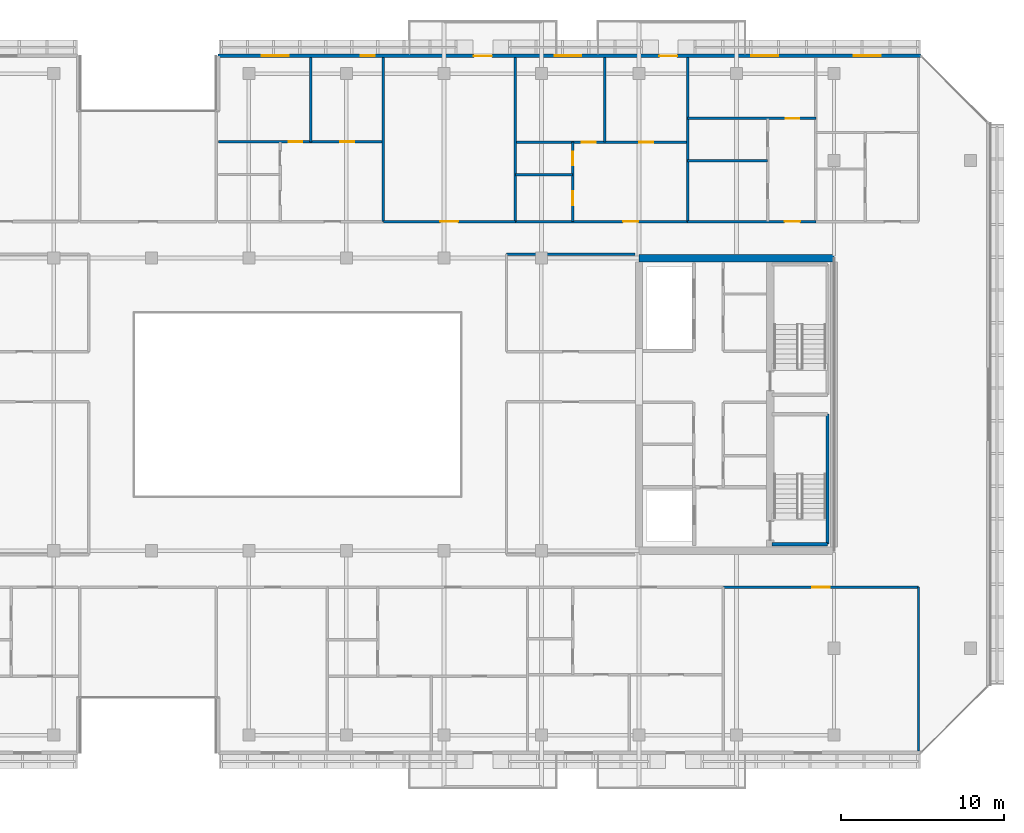
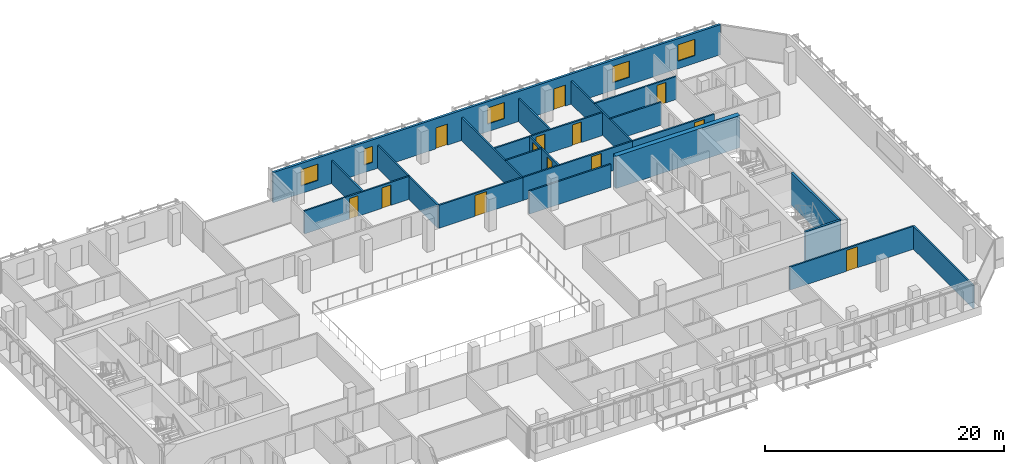
# One storey, part 18 of 25: 21 walls, 13 doors, 5 windows, 18 openings.
"""IFC4 building model written with IfcOpenShell, lengths in metres."""

import ifcopenshell
import ifcopenshell.guid

model = None  # the IFC model being written
_history = None  # IfcOwnerHistory: only IFC2X3 demands one
_inside = {}  # id of a spatial element -> (the spatial element, [elements in it])
_under = {}  # id of a project, library or spatial element -> (it, [spatial elements below it])
_declared = {}  # id of a project -> (the project, [libraries it declares])
_typed = {}  # id of a type object -> (the type object, [elements of that type])
_made_of = {}  # id of a material, layer set ... -> (it, [elements and type objects made of it])


def new_model(schema):
    """Start an empty IFC model of exactly this schema.

    Asked for "IFC4X3", IfcOpenShell would pick the latest addendum, in which some entities
    have other attributes; the version numbers below select the first issue.
    IFC2X3 requires an IfcOwnerHistory on every rooted entity: one is made here for all.
    """
    global model, _history
    if schema == "IFC4X3":
        model = ifcopenshell.file(schema_version=(4, 3, 0, 0))
    else:
        model = ifcopenshell.file(schema=schema)
    _inside.clear()
    _under.clear()
    _declared.clear()
    _typed.clear()
    _made_of.clear()
    _history = None
    if model.schema == "IFC2X3":
        org = make("IfcOrganization", Name="unknown")
        user = make(
            "IfcPersonAndOrganization",
            ThePerson=make("IfcPerson", FamilyName="unknown"),
            TheOrganization=org,
        )
        app = make(
            "IfcApplication",
            ApplicationDeveloper=org,
            Version="unknown",
            ApplicationFullName="unknown",
            ApplicationIdentifier="unknown",
        )
        _history = make(
            "IfcOwnerHistory",
            OwningUser=user,
            OwningApplication=app,
            ChangeAction="ADDED",
            CreationDate=0,
        )
    return model


def make(cls, **values):
    """One entity of the class cls with the attributes given. An attribute that is None is left unset."""
    return model.create_entity(
        cls, **{name: value for name, value in values.items() if value is not None}
    )


def rooted(cls, **values):
    """An entity with a GlobalId (a new one), such as an element, a storey or a relation."""
    return make(cls, GlobalId=ifcopenshell.guid.new(), OwnerHistory=_history, **values)


def si_unit(unit_type, name, prefix=None):
    """IfcSIUnit, for example si_unit("LENGTHUNIT", "METRE", prefix="MILLI")."""
    return make("IfcSIUnit", UnitType=unit_type, Prefix=prefix, Name=name)


def assignment(units):
    """IfcUnitAssignment: the units of a project."""
    return None if units is None else make("IfcUnitAssignment", Units=units)


def point(xyz):
    """IfcCartesianPoint."""
    return None if xyz is None else make("IfcCartesianPoint", Coordinates=xyz)


def direction(xyz):
    """IfcDirection."""
    return None if xyz is None else make("IfcDirection", DirectionRatios=xyz)


def frame(location, z_axis=None, x_axis=None):
    """IfcAxis2Placement3D, a coordinate frame: its origin and axes. An axis left out is left unset."""
    return make(
        "IfcAxis2Placement3D",
        Location=point(location),
        Axis=direction(z_axis),
        RefDirection=direction(x_axis),
    )


def frame_2d(location, x_axis=None):
    """IfcAxis2Placement2D, a coordinate frame in the plane: its origin and x axis."""
    return make(
        "IfcAxis2Placement2D", Location=point(location), RefDirection=direction(x_axis)
    )


def origin():
    """The frame at (0, 0, 0) with its axes left unset."""
    return frame((0.0, 0.0, 0.0))


def place(relative_to, where):
    """IfcLocalPlacement: puts the frame where relative to a parent placement (None: the world)."""
    return make(
        "IfcLocalPlacement", PlacementRelTo=relative_to, RelativePlacement=where
    )


def context(
    kind, dimensions, precision=None, world=None, true_north=None, identifier=None
):
    """IfcGeometricRepresentationContext, for example the 3D "Model" context."""
    return make(
        "IfcGeometricRepresentationContext",
        ContextIdentifier=identifier,
        ContextType=kind,
        CoordinateSpaceDimension=dimensions,
        Precision=precision,
        WorldCoordinateSystem=world,
        TrueNorth=true_north,
    )


def subcontext(parent, identifier, kind, view, scale=None):
    """IfcGeometricRepresentationSubContext, for example "Body" below "Model"."""
    return make(
        "IfcGeometricRepresentationSubContext",
        ContextIdentifier=identifier,
        ContextType=kind,
        ParentContext=parent,
        TargetScale=scale,
        TargetView=view,
    )


def project(units=None, contexts=None):
    """IfcProject with its units and contexts."""
    return rooted(
        "IfcProject",
        Name="project",
        RepresentationContexts=contexts,
        UnitsInContext=assignment(units),
    )


def spatial(cls, under=None, at=None, **own):
    """A site, building, storey or space (cls), placed at a placement, below another one or the project."""
    s = rooted(cls, ObjectPlacement=at, **own)
    if under is not None:
        _under.setdefault(under.id(), (under, []))[1].append(s)
    return s


def profile(cls, at=None, kind="AREA", **sizes):
    """A parametric profile (cls). Its sizes go by their IFC names, for example OverallWidth=200.0."""
    return make(cls, ProfileType=kind, Position=at, **sizes)


def rectangle(**sizes):
    """IfcRectangleProfileDef."""
    return profile("IfcRectangleProfileDef", **sizes)


def extrude(swept, where, along, depth):
    """IfcExtrudedAreaSolid: the profile swept, set in the frame where, extruded along a direction by depth."""
    return make(
        "IfcExtrudedAreaSolid",
        SweptArea=swept,
        Position=where,
        ExtrudedDirection=direction(along),
        Depth=depth,
    )


def shape(context_of_items, identifier, shape_type, items):
    """IfcShapeRepresentation: the items that make up one representation, for example the "Body"."""
    return make(
        "IfcShapeRepresentation",
        ContextOfItems=context_of_items,
        RepresentationIdentifier=identifier,
        RepresentationType=shape_type,
        Items=items,
    )


def material(Name=None, Category=None):
    """IfcMaterial."""
    return make("IfcMaterial", Name=Name, Category=Category)


def layer(
    of_material, thickness, ventilated=None, Name=None, Category=None, Priority=None
):
    """IfcMaterialLayer: one layer of a wall or slab, of a material (None: an air gap)."""
    return make(
        "IfcMaterialLayer",
        Material=of_material,
        LayerThickness=thickness,
        IsVentilated=ventilated,
        Name=Name,
        Category=Category,
        Priority=Priority,
    )


def layer_set(layers, Name=None):
    """IfcMaterialLayerSet."""
    return make("IfcMaterialLayerSet", MaterialLayers=layers, LayerSetName=Name)


def made_of(thing, what):
    """Note that an element or type object is made of a material, layer set ...; save() writes the relation."""
    if what is not None:
        _made_of.setdefault(what.id(), (what, []))[1].append(thing)
    return thing


def type_object(cls, material=None, **own):
    """A type object (cls), such as IfcWallType, which elements share."""
    return made_of(rooted(cls, **own), material)


def element(
    cls,
    number,
    at=None,
    inside=None,
    cuts=None,
    type_object=None,
    material=None,
    context=None,
    identifier="Body",
    shape_type=None,
    held_by="IfcProductDefinitionShape",
    body=None,
    shapes=None,
    **own,
):
    """One element of the class cls, such as IfcWall. Its Tag is "e" and its number.

    at: its placement. inside: the storey or other place that contains it. cuts: it is an
    opening in that element (IfcRelVoidsElement). A single representation is given by context,
    identifier, shape_type and body (its items); several are given by shapes. held_by: the class
    of the entity that holds the representations. save() writes the other relations.
    """
    e = rooted(cls, Tag="e%d" % number, ObjectPlacement=at, **own)
    if body is not None:
        shapes = [shape(context, identifier, shape_type, body)]
    if shapes is not None:
        e.Representation = make(held_by, Representations=shapes)
    if inside is not None:
        _inside.setdefault(inside.id(), (inside, []))[1].append(e)
    if cuts is not None:
        rooted(
            "IfcRelVoidsElement", RelatingBuildingElement=cuts, RelatedOpeningElement=e
        )
    if type_object is not None:
        _typed.setdefault(type_object.id(), (type_object, []))[1].append(e)
    return made_of(e, material)


def fill(opening, filler):
    """IfcRelFillsElement: the door or window that sits in an opening."""
    return rooted(
        "IfcRelFillsElement",
        RelatingOpeningElement=opening,
        RelatedBuildingElement=filler,
    )


def aggregate(whole, parts):
    """IfcRelAggregates: a whole, such as a stair, and the parts it consists of."""
    return rooted("IfcRelAggregates", RelatingObject=whole, RelatedObjects=parts)


def save(model, path):
    """Write the relations noted so far, then the file.

    IfcRelAggregates (storeys below a building ...), IfcRelContainedInSpatialStructure (elements
    in a storey), IfcRelDefinesByType, IfcRelAssociatesMaterial and IfcRelDeclares: one each for
    every whole, place, type object, material and project.
    """
    for whole, parts in _under.values():
        aggregate(whole, parts)
    for where, things in _inside.values():
        rooted(
            "IfcRelContainedInSpatialStructure",
            RelatedElements=things,
            RelatingStructure=where,
        )
    for kind, things in _typed.values():
        rooted("IfcRelDefinesByType", RelatedObjects=things, RelatingType=kind)
    for what, things in _made_of.values():
        rooted("IfcRelAssociatesMaterial", RelatedObjects=things, RelatingMaterial=what)
    for by, libraries in _declared.values():
        rooted("IfcRelDeclares", RelatingContext=by, RelatedDefinitions=libraries)
    model.write(path)


model = new_model("IFC4")

# Units and contexts
model_context = context("Model", 3, precision=1e-05, world=origin(), true_north=direction((0.0, 1.0)))
body_context = subcontext(model_context, "Body", "Model", "MODEL_VIEW")
ifc_project = project(units=[si_unit("LENGTHUNIT", "METRE"), si_unit("AREAUNIT", "SQUARE_METRE"), si_unit("VOLUMEUNIT", "CUBIC_METRE"), si_unit("PLANEANGLEUNIT", "RADIAN"), si_unit("MASSUNIT", "GRAM", prefix="KILO")], contexts=[model_context])

# Site, building, storey
site_placement = place(None, origin())
site = spatial("IfcSite", under=ifc_project, at=site_placement, CompositionType="ELEMENT")
building_placement = place(site_placement, origin())
building = spatial("IfcBuilding", under=site, at=building_placement, Name="Tanjung Sevakor Pilgrim Tower", CompositionType="ELEMENT")
storey_placement = place(building_placement, frame((0.0, 0.0, 204.929931640625)))
storey = spatial("IfcBuildingStorey", under=building, at=storey_placement, Name="L57", CompositionType="ELEMENT", Elevation=204.929931640625)

# Walls
ifc_material_1 = material(Name="Concrete C60/75", Category="concrete")
ifc_layer_1 = layer(ifc_material_1, 0.449951171875)
ifc_layer_set_1 = layer_set([ifc_layer_1], Name="WALL-CW-450")
wall_type_1 = type_object("IfcWallType", Name="WALL-CW-450", PredefinedType="SHEAR", material=ifc_layer_set_1)
wall_1_placement = place(storey_placement, frame((90.0, 42.60009765625, 0.0), z_axis=(0.0, 0.0, 1.0), x_axis=(-1.0, 0.0, 0.0)))
element("IfcWall", 1, at=wall_1_placement, inside=storey, type_object=wall_type_1, Name="L57 E Core North Shear Wall", PredefinedType="SHEAR", context=body_context, shape_type="SweptSolid", body=[
    extrude(rectangle(XDim=12.0, YDim=0.449951171875, at=frame_2d((6.0, 0.0))), origin(), (0.0, 0.0, 1.0), 3.300048828125),
])
ifc_material_2 = material(Name="Concrete C40/50", Category="concrete")
ifc_layer_2 = layer(ifc_material_2, 0.14990234375)
ifc_layer_set_2 = layer_set([ifc_layer_2], Name="WT-COMP-150")
wall_type_2 = type_object("IfcWallType", Name="WT-COMP-150", PredefinedType="SOLIDWALL", material=ifc_layer_set_2)
wall_2_placement = place(storey_placement, frame((69.85009765625, 42.85009765625, 0.0), z_axis=(0.0, 0.0, 1.0), x_axis=(1.0, 0.0, 0.0)))
element("IfcWall", 2, at=wall_2_placement, inside=storey, type_object=wall_type_2, Name="L57 Partition IW-L57-037", PredefinedType="SOLIDWALL", context=body_context, shape_type="SweptSolid", body=[
    extrude(rectangle(XDim=7.90478515625, YDim=0.14990234375, at=frame_2d((3.952392578125, 0.0))), origin(), (0.0, 0.0, 1.0), 2.35009765625),
])
wall_3_placement = place(storey_placement, frame((95.199951171875, 12.27001953125, 0.0), z_axis=(0.0, 0.0, 1.0), x_axis=(0.0, 1.0, 0.0)))
element("IfcWall", 3, at=wall_3_placement, inside=storey, type_object=wall_type_2, Name="L57 Partition IW-L57-057", PredefinedType="SOLIDWALL", context=body_context, shape_type="SweptSolid", body=[
    extrude(rectangle(XDim=10.080078125, YDim=0.14990234375, at=frame_2d((5.0400390625, 0.0))), origin(), (0.0, 0.0, 1.0), 2.35009765625),
])

# Wall, opening, door
wall_4_placement = place(storey_placement, frame((83.19775390625, 22.35009765625, 0.0), z_axis=(0.0, 0.0, 1.0), x_axis=(1.0, 0.0, 0.0)))
wall_4 = element("IfcWall", 4, at=wall_4_placement, inside=storey, type_object=wall_type_2, Name="L57 Partition IW-L57-072", PredefinedType="SOLIDWALL", context=body_context, shape_type="SweptSolid", body=[
    extrude(rectangle(XDim=12.002197265625, YDim=0.14990234375, at=frame_2d((6.0009765625, 0.0))), origin(), (0.0, 0.0, 1.0), 2.35009765625),
])
opening_1_placement = place(wall_4_placement, frame((5.451171875, 0.0, 0.0)))
opening_1 = element("IfcOpeningElement", 5, at=opening_1_placement, cuts=wall_4, Name="Opening ID-FD0", PredefinedType="OPENING", context=body_context, shape_type="SweptSolid", body=[
    extrude(rectangle(XDim=1.10009765625, YDim=2.14990234375, at=frame_2d((0.550048828125, 1.074951171875))), frame((0.0, 0.0849609375, 0.0), z_axis=(0.0, -1.0, 0.0), x_axis=(1.0, 0.0, 0.0)), (0.0, 0.0, 1.0), 0.169921875),
])
ifc_material_3 = material(Name="Fire-Rated Steel S355J2", Category="steel")
door_type_1 = type_object("IfcDoorType", Name="DT-FIRE-1100", OperationType="NOTDEFINED", PredefinedType="DOOR", material=ifc_material_3)
door_1_placement = place(opening_1_placement, origin())
door_1 = element("IfcDoor", 6, at=door_1_placement, inside=storey, type_object=door_type_1, Name="Communal Lounge Door", OperationType="SINGLE_SWING_RIGHT", OverallHeight=2.14990234375, OverallWidth=1.10009765625, PredefinedType="DOOR", context=body_context, shape_type="SweptSolid", body=[
    extrude(rectangle(XDim=1.10009765625, YDim=2.14990234375, at=frame_2d((0.550048828125, 1.074951171875))), frame((0.0, 0.02490234375, 0.0), z_axis=(0.0, -1.0, 0.0), x_axis=(1.0, 0.0, 0.0)), (0.0, 0.0, 1.0), 0.050048828125),
])
fill(opening_1, door_1)

# Walls
for number, where, z_axis, x_axis, name in (
    (7, (62.269775390625, 44.85009765625, 0.0), (0.0, 0.0, 1.0), (0.0, 1.0, 0.0), "L57 Partition IW-L57-082"),
    (8, (70.389404296875, 44.85009765625, 0.0), (0.0, 0.0, 1.0), (0.0, 1.0, 0.0), "L57 Partition IW-L57-088"),
):
    element("IfcWall", number, at=place(storey_placement, frame(where, z_axis=z_axis, x_axis=x_axis)), inside=storey, type_object=wall_type_2, Name=name, PredefinedType="SOLIDWALL", context=body_context, shape_type="SweptSolid", body=[
        extrude(rectangle(XDim=10.079833984375, YDim=0.14990234375, at=frame_2d((5.0400390625, 0.0))), origin(), (0.0, 0.0, 1.0), 2.35009765625),
    ])

# Wall, opening, door
wall_5_placement = place(storey_placement, frame((62.269775390625, 44.85009765625, 0.0), z_axis=(0.0, 0.0, 1.0), x_axis=(1.0, 0.0, 0.0)))
wall_5 = element("IfcWall", 9, at=wall_5_placement, inside=storey, type_object=wall_type_2, Name="L57 Partition IW-L57-089", PredefinedType="SOLIDWALL", context=body_context, shape_type="SweptSolid", body=[
    extrude(rectangle(XDim=8.11962890625, YDim=0.14990234375, at=frame_2d((4.059814453125, 0.0))), origin(), (0.0, 0.0, 1.0), 2.35009765625),
])
opening_2_placement = place(wall_5_placement, frame((3.510009765625, 0.0, 0.0)))
opening_2 = element("IfcOpeningElement", 10, at=opening_2_placement, cuts=wall_5, Name="Opening ID-FD0", PredefinedType="OPENING", context=body_context, shape_type="SweptSolid", body=[
    extrude(rectangle(XDim=1.10009765625, YDim=2.14990234375, at=frame_2d((0.550048828125, 1.074951171875))), frame((0.0, 0.0849609375, 0.0), z_axis=(0.0, -1.0, 0.0), x_axis=(1.0, 0.0, 0.0)), (0.0, 0.0, 1.0), 0.169921875),
])
door_2_placement = place(opening_2_placement, origin())
door_2 = element("IfcDoor", 11, at=door_2_placement, inside=storey, type_object=door_type_1, Name="Council Room Door", OperationType="SINGLE_SWING_RIGHT", OverallHeight=2.14990234375, OverallWidth=1.10009765625, PredefinedType="DOOR", context=body_context, shape_type="SweptSolid", body=[
    extrude(rectangle(XDim=1.10009765625, YDim=2.14990234375, at=frame_2d((0.550048828125, 1.074951171875))), frame((0.0, 0.02490234375, 0.0), z_axis=(0.0, -1.0, 0.0), x_axis=(1.0, 0.0, 0.0)), (0.0, 0.0, 1.0), 0.050048828125),
])
fill(opening_2, door_2)

# Wall
wall_6_placement = place(storey_placement, frame((80.990234375, 44.85009765625, 0.0), z_axis=(0.0, 0.0, 1.0), x_axis=(0.0, 1.0, 0.0)))
element("IfcWall", 12, at=wall_6_placement, inside=storey, type_object=wall_type_2, Name="L57 Partition IW-L57-090", PredefinedType="SOLIDWALL", context=body_context, shape_type="SweptSolid", body=[
    extrude(rectangle(XDim=10.079833984375, YDim=0.14990234375, at=frame_2d((5.0400390625, 0.0))), origin(), (0.0, 0.0, 1.0), 2.35009765625),
])

# Wall, opening, door
wall_7_placement = place(storey_placement, frame((70.389404296875, 44.85009765625, 0.0), z_axis=(0.0, 0.0, 1.0), x_axis=(1.0, 0.0, 0.0)))
wall_7 = element("IfcWall", 13, at=wall_7_placement, inside=storey, type_object=wall_type_2, Name="L57 Partition IW-L57-095", PredefinedType="SOLIDWALL", context=body_context, shape_type="SweptSolid", body=[
    extrude(rectangle(XDim=10.600830078125, YDim=0.14990234375, at=frame_2d((5.30029296875, 0.0))), origin(), (0.0, 0.0, 1.0), 2.35009765625),
])
opening_3_placement = place(wall_7_placement, frame((6.630615234375, 0.0, 0.0)))
opening_3 = element("IfcOpeningElement", 14, at=opening_3_placement, cuts=wall_7, Name="Opening ID-FD2", PredefinedType="OPENING", context=body_context, shape_type="SweptSolid", body=[
    extrude(rectangle(XDim=0.949951171875, YDim=2.14990234375, at=frame_2d((0.47509765625, 1.074951171875))), frame((0.0, 0.0849609375, 0.0), z_axis=(0.0, -1.0, 0.0), x_axis=(1.0, 0.0, 0.0)), (0.0, 0.0, 1.0), 0.169921875),
])
ifc_material_4 = material(Name="Fire-Rated Timber", Category="wood")
door_type_2 = type_object("IfcDoorType", Name="DT-FIRE-950", OperationType="NOTDEFINED", PredefinedType="DOOR", material=ifc_material_4)
door_3_placement = place(opening_3_placement, origin())
door_3 = element("IfcDoor", 15, at=door_3_placement, inside=storey, type_object=door_type_2, Name="Suite Entrance", OperationType="SINGLE_SWING_LEFT", OverallHeight=2.14990234375, OverallWidth=0.949951171875, PredefinedType="DOOR", context=body_context, shape_type="SweptSolid", body=[
    extrude(rectangle(XDim=0.949951171875, YDim=2.14990234375, at=frame_2d((0.47509765625, 1.074951171875))), frame((0.0, 0.02490234375, 0.0), z_axis=(0.0, -1.0, 0.0), x_axis=(1.0, 0.0, 0.0)), (0.0, 0.0, 1.0), 0.050048828125),
])
fill(opening_3, door_3)

wall_8_placement = place(storey_placement, frame((80.990234375, 44.85009765625, 0.0), z_axis=(0.0, 0.0, 1.0), x_axis=(1.0, 0.0, 0.0)))
wall_8 = element("IfcWall", 16, at=wall_8_placement, inside=storey, type_object=wall_type_2, Name="L57 Partition IW-L57-100", PredefinedType="SOLIDWALL", context=body_context, shape_type="SweptSolid", body=[
    extrude(rectangle(XDim=7.894287109375, YDim=0.14990234375, at=frame_2d((3.947265625, 0.0))), origin(), (0.0, 0.0, 1.0), 2.35009765625),
])
opening_4_placement = place(wall_8_placement, frame((5.97705078125, 0.0, 0.0)))
opening_4 = element("IfcOpeningElement", 17, at=opening_4_placement, cuts=wall_8, Name="Opening ID-FD2", PredefinedType="OPENING", context=body_context, shape_type="SweptSolid", body=[
    extrude(rectangle(XDim=0.949951171875, YDim=2.14990234375, at=frame_2d((0.47509765625, 1.074951171875))), frame((0.0, 0.0849609375, 0.0), z_axis=(0.0, -1.0, 0.0), x_axis=(1.0, 0.0, 0.0)), (0.0, 0.0, 1.0), 0.169921875),
])
door_4_placement = place(opening_4_placement, origin())
door_4 = element("IfcDoor", 18, at=door_4_placement, inside=storey, type_object=door_type_2, Name="Residence Entrance", OperationType="SINGLE_SWING_LEFT", OverallHeight=2.14990234375, OverallWidth=0.949951171875, PredefinedType="DOOR", context=body_context, shape_type="SweptSolid", body=[
    extrude(rectangle(XDim=0.949951171875, YDim=2.14990234375, at=frame_2d((0.47509765625, 1.074951171875))), frame((0.0, 0.02490234375, 0.0), z_axis=(0.0, -1.0, 0.0), x_axis=(1.0, 0.0, 0.0)), (0.0, 0.0, 1.0), 0.050048828125),
])
fill(opening_4, door_4)

# Wall, openings, doors, windows
ifc_material_5 = material(Name="Precast concrete C45/55", Category="concrete")
ifc_layer_3 = layer(ifc_material_5, 0.219970703125)
ifc_layer_set_3 = layer_set([ifc_layer_3], Name="WT-EW-STN4")
wall_type_3 = type_object("IfcWallType", Name="WT-EW-STN4", PredefinedType="SOLIDWALL", material=ifc_layer_set_3)
wall_9_placement = place(storey_placement, frame((95.3544921875, 55.0400390625, 0.0), z_axis=(0.0, 0.0, 1.0), x_axis=(-1.0, 0.0, 0.0)))
wall_9 = element("IfcWall", 19, at=wall_9_placement, inside=storey, type_object=wall_type_3, Name="L57 MAIN Exterior Wall 9", PredefinedType="SOLIDWALL", context=body_context, shape_type="SweptSolid", body=[
    extrude(rectangle(XDim=43.244384765625, YDim=0.219970703125, at=frame_2d((21.6220703125, 0.0))), origin(), (0.0, 0.0, 1.0), 3.080078125),
])
opening_5_placement = place(wall_9_placement, frame((26.404296875, 0.0, 0.0)))
opening_5 = element("IfcOpeningElement", 20, at=opening_5_placement, cuts=wall_9, Name="Opening ED-BAL-1100", PredefinedType="OPENING", context=body_context, shape_type="SweptSolid", body=[
    extrude(rectangle(XDim=1.10009765625, YDim=2.14990234375, at=frame_2d((0.550048828125, 1.074951171875))), frame((0.0, 0.119873046875, 0.0), z_axis=(0.0, -1.0, 0.0), x_axis=(1.0, 0.0, 0.0)), (0.0, 0.0, 1.0), 0.239990234375),
])
opening_6_placement = place(wall_9_placement, frame((15.00439453125, 0.0, 0.0)))
opening_6 = element("IfcOpeningElement", 21, at=opening_6_placement, cuts=wall_9, Name="Opening ED-BAL-1100", PredefinedType="OPENING", context=body_context, shape_type="SweptSolid", body=[
    extrude(rectangle(XDim=1.10009765625, YDim=2.14990234375, at=frame_2d((0.550048828125, 1.074951171875))), frame((0.0, 0.119873046875, 0.0), z_axis=(0.0, -1.0, 0.0), x_axis=(1.0, 0.0, 0.0)), (0.0, 0.0, 1.0), 0.239990234375),
])
opening_7_placement = place(wall_9_placement, frame((38.909423828125, 0.0, 0.780029296875)))
opening_7 = element("IfcOpeningElement", 22, at=opening_7_placement, cuts=wall_9, Name="Opening WN-Z4-1660", PredefinedType="OPENING", context=body_context, shape_type="SweptSolid", body=[
    extrude(rectangle(XDim=1.64990234375, YDim=1.659912109375, at=frame_2d((0.824951171875, 0.830078125))), frame((0.0, 0.119873046875, 0.0), z_axis=(0.0, -1.0, 0.0), x_axis=(1.0, 0.0, 0.0)), (0.0, 0.0, 1.0), 0.239990234375),
])
opening_8_placement = place(wall_9_placement, frame((33.614501953125, 0.0, 0.780029296875)))
opening_8 = element("IfcOpeningElement", 23, at=opening_8_placement, cuts=wall_9, Name="Opening WN-SLM", PredefinedType="OPENING", context=body_context, shape_type="SweptSolid", body=[
    extrude(rectangle(XDim=0.85009765625, YDim=1.64990234375, at=frame_2d((0.425048828125, 0.824951171875))), frame((0.0, 0.119873046875, 0.0), z_axis=(0.0, -1.0, 0.0), x_axis=(1.0, 0.0, 0.0)), (0.0, 0.0, 1.0), 0.239990234375),
])
opening_9_placement = place(wall_9_placement, frame((20.893798828125, 0.0, 0.780029296875)))
opening_9 = element("IfcOpeningElement", 24, at=opening_9_placement, cuts=wall_9, Name="Opening WN-Z4-1660", PredefinedType="OPENING", context=body_context, shape_type="SweptSolid", body=[
    extrude(rectangle(XDim=1.64990234375, YDim=1.659912109375, at=frame_2d((0.824951171875, 0.830078125))), frame((0.0, 0.119873046875, 0.0), z_axis=(0.0, -1.0, 0.0), x_axis=(1.0, 0.0, 0.0)), (0.0, 0.0, 1.0), 0.239990234375),
])
opening_10_placement = place(wall_9_placement, frame((8.7919921875, 0.0, 0.780029296875)))
opening_10 = element("IfcOpeningElement", 25, at=opening_10_placement, cuts=wall_9, Name="Opening WN-Z4-1660", PredefinedType="OPENING", context=body_context, shape_type="SweptSolid", body=[
    extrude(rectangle(XDim=1.64990234375, YDim=1.659912109375, at=frame_2d((0.824951171875, 0.830078125))), frame((0.0, 0.119873046875, 0.0), z_axis=(0.0, -1.0, 0.0), x_axis=(1.0, 0.0, 0.0)), (0.0, 0.0, 1.0), 0.239990234375),
])
opening_11_placement = place(wall_9_placement, frame((2.487060546875, 0.0, 0.780029296875)))
opening_11 = element("IfcOpeningElement", 26, at=opening_11_placement, cuts=wall_9, Name="Opening WN-Z4-1660", PredefinedType="OPENING", context=body_context, shape_type="SweptSolid", body=[
    extrude(rectangle(XDim=1.64990234375, YDim=1.659912109375, at=frame_2d((0.824951171875, 0.830078125))), frame((0.0, 0.119873046875, 0.0), z_axis=(0.0, -1.0, 0.0), x_axis=(1.0, 0.0, 0.0)), (0.0, 0.0, 1.0), 0.239990234375),
])
ifc_material_6 = material(Name="Anodised Aluminium and Laminated Glass", Category="aluminium")
door_type_3 = type_object("IfcDoorType", Name="DTYP-ED-BAL-1100", OperationType="NOTDEFINED", PredefinedType="DOOR", material=ifc_material_6)
door_5_placement = place(opening_5_placement, frame((1.10009765625, 0.0, 0.0), z_axis=(0.0, 0.0, 1.0), x_axis=(-1.0, 0.0, 0.0)))
door_5 = element("IfcDoor", 27, at=door_5_placement, inside=storey, type_object=door_type_3, Name="L57 Balcony Door MAIN-N2", OperationType="SINGLE_SWING_RIGHT", OverallHeight=2.14990234375, OverallWidth=1.10009765625, PredefinedType="DOOR", context=body_context, shape_type="SweptSolid", body=[
    extrude(rectangle(XDim=1.10009765625, YDim=2.14990234375, at=frame_2d((0.550048828125, 1.074951171875))), frame((0.0, 0.02490234375, 0.0), z_axis=(0.0, -1.0, 0.0), x_axis=(1.0, 0.0, 0.0)), (0.0, 0.0, 1.0), 0.050048828125),
])
fill(opening_5, door_5)
door_6_placement = place(opening_6_placement, frame((1.10009765625, 0.0, 0.0), z_axis=(0.0, 0.0, 1.0), x_axis=(-1.0, 0.0, 0.0)))
door_6 = element("IfcDoor", 28, at=door_6_placement, inside=storey, type_object=door_type_3, Name="L57 Balcony Door MAIN-N3", OperationType="SINGLE_SWING_LEFT", OverallHeight=2.14990234375, OverallWidth=1.10009765625, PredefinedType="DOOR", context=body_context, shape_type="SweptSolid", body=[
    extrude(rectangle(XDim=1.10009765625, YDim=2.14990234375, at=frame_2d((0.550048828125, 1.074951171875))), frame((0.0, 0.02490234375, 0.0), z_axis=(0.0, -1.0, 0.0), x_axis=(1.0, 0.0, 0.0)), (0.0, 0.0, 1.0), 0.050048828125),
])
fill(opening_6, door_6)
ifc_material_7 = material(Name="Thermally Broken Aluminium and Low-E Glass", Category="aluminium")
window_type_1 = type_object("IfcWindowType", Name="WTYP-WN-SLM", PartitioningType="SINGLE_PANEL", PredefinedType="WINDOW", material=ifc_material_7)
window_1_placement = place(opening_8_placement, origin())
window_1 = element("IfcWindow", 29, at=window_1_placement, inside=storey, type_object=window_type_1, Name="L57 Facade Window 02", OverallHeight=1.64990234375, OverallWidth=0.85009765625, PartitioningType="SINGLE_PANEL", PredefinedType="WINDOW", context=body_context, shape_type="SweptSolid", body=[
    extrude(rectangle(XDim=0.85009765625, YDim=1.64990234375, at=frame_2d((0.425048828125, 0.824951171875))), frame((0.0, 0.030029296875, 0.0), z_axis=(0.0, -1.0, 0.0), x_axis=(1.0, 0.0, 0.0)), (0.0, 0.0, 1.0), 0.06005859375),
])
fill(opening_8, window_1)
ifc_material_8 = material(Name="Thermally Broken Aluminium and Low-E Glass", Category="aluminium")
window_type_2 = type_object("IfcWindowType", Name="WTYP-WN-Z4-1660", PartitioningType="DOUBLE_PANEL_VERTICAL", PredefinedType="WINDOW", material=ifc_material_8)
window_2_placement = place(opening_7_placement, origin())
window_2 = element("IfcWindow", 30, at=window_2_placement, inside=storey, type_object=window_type_2, Name="L57 Facade Window 01", OverallHeight=1.659912109375, OverallWidth=1.64990234375, PartitioningType="SINGLE_PANEL", PredefinedType="WINDOW", context=body_context, shape_type="SweptSolid", body=[
    extrude(rectangle(XDim=1.64990234375, YDim=1.659912109375, at=frame_2d((0.824951171875, 0.830078125))), frame((0.0, 0.030029296875, 0.0), z_axis=(0.0, -1.0, 0.0), x_axis=(1.0, 0.0, 0.0)), (0.0, 0.0, 1.0), 0.06005859375),
])
fill(opening_7, window_2)
window_3_placement = place(opening_9_placement, origin())
window_3 = element("IfcWindow", 31, at=window_3_placement, inside=storey, type_object=window_type_2, Name="L57 Facade Window 03", OverallHeight=1.659912109375, OverallWidth=1.64990234375, PartitioningType="SINGLE_PANEL", PredefinedType="WINDOW", context=body_context, shape_type="SweptSolid", body=[
    extrude(rectangle(XDim=1.64990234375, YDim=1.659912109375, at=frame_2d((0.824951171875, 0.830078125))), frame((0.0, 0.030029296875, 0.0), z_axis=(0.0, -1.0, 0.0), x_axis=(1.0, 0.0, 0.0)), (0.0, 0.0, 1.0), 0.06005859375),
])
fill(opening_9, window_3)
window_4_placement = place(opening_10_placement, origin())
window_4 = element("IfcWindow", 32, at=window_4_placement, inside=storey, type_object=window_type_2, Name="L57 Facade Window 04", OverallHeight=1.659912109375, OverallWidth=1.64990234375, PartitioningType="SINGLE_PANEL", PredefinedType="WINDOW", context=body_context, shape_type="SweptSolid", body=[
    extrude(rectangle(XDim=1.64990234375, YDim=1.659912109375, at=frame_2d((0.824951171875, 0.830078125))), frame((0.0, 0.030029296875, 0.0), z_axis=(0.0, -1.0, 0.0), x_axis=(1.0, 0.0, 0.0)), (0.0, 0.0, 1.0), 0.06005859375),
])
fill(opening_10, window_4)
window_5_placement = place(opening_11_placement, origin())
window_5 = element("IfcWindow", 33, at=window_5_placement, inside=storey, type_object=window_type_2, Name="L57 Facade Window 05", OverallHeight=1.659912109375, OverallWidth=1.64990234375, PartitioningType="SINGLE_PANEL", PredefinedType="WINDOW", context=body_context, shape_type="SweptSolid", body=[
    extrude(rectangle(XDim=1.64990234375, YDim=1.659912109375, at=frame_2d((0.824951171875, 0.830078125))), frame((0.0, 0.030029296875, 0.0), z_axis=(0.0, -1.0, 0.0), x_axis=(1.0, 0.0, 0.0)), (0.0, 0.0, 1.0), 0.06005859375),
])
fill(opening_11, window_5)

# Walls
ifc_material_9 = material(Name="Concrete C40/50", Category="concrete")
ifc_layer_4 = layer(ifc_material_9, 0.199951171875)
ifc_layer_set_4 = layer_set([ifc_layer_4], Name="WT-FIRE-200")
wall_type_4 = type_object("IfcWallType", Name="WT-FIRE-200", PredefinedType="SOLIDWALL", material=ifc_layer_set_4)
wall_10_placement = place(storey_placement, frame((86.199951171875, 25.0, 0.0), z_axis=(0.0, 0.0, 1.0), x_axis=(1.0, 0.0, 0.0)))
element("IfcWall", 34, at=wall_10_placement, inside=storey, type_object=wall_type_4, Name="L57 TS-E1 Shaft Wall 1", PredefinedType="SOLIDWALL", context=body_context, shape_type="SweptSolid", body=[
    extrude(rectangle(XDim=3.400146484375, YDim=0.199951171875, at=frame_2d((1.7001953125, 0.0))), origin(), (0.0, 0.0, 1.0), 3.300048828125),
])
wall_11_placement = place(storey_placement, frame((89.60009765625, 25.0, 0.0), z_axis=(0.0, 0.0, 1.0), x_axis=(0.0, 1.0, 0.0)))
element("IfcWall", 35, at=wall_11_placement, inside=storey, type_object=wall_type_4, Name="L57 TS-E1 Shaft Wall 2", PredefinedType="SOLIDWALL", context=body_context, shape_type="SweptSolid", body=[
    extrude(rectangle(XDim=8.0, YDim=0.199951171875, at=frame_2d((4.0, 0.0))), origin(), (0.0, 0.0, 1.0), 3.300048828125),
])
ifc_material_10 = material(Name="Gypsum Board Partition", Category="gypsum board")
ifc_layer_5 = layer(ifc_material_10, 0.14990234375)
ifc_layer_set_5 = layer_set([ifc_layer_5], Name="WT-PART-150")
wall_type_5 = type_object("IfcWallType", Name="WT-PART-150", PredefinedType="PARTITIONING", material=ifc_layer_set_5)
wall_12_placement = place(storey_placement, frame((57.820068359375, 49.754638671875, 0.0), z_axis=(0.0, 0.0, 1.0), x_axis=(0.0, 1.0, 0.0)))
element("IfcWall", 36, at=wall_12_placement, inside=storey, type_object=wall_type_5, Name="L57 Partition IW-L57-085", PredefinedType="PARTITIONING", context=body_context, shape_type="SweptSolid", body=[
    extrude(rectangle(XDim=5.17529296875, YDim=0.14990234375, at=frame_2d((2.587646484375, 0.0))), origin(), (0.0, 0.0, 1.0), 2.35009765625),
])

# Wall, openings, doors
wall_13_placement = place(storey_placement, frame((52.1201171875, 49.754638671875, 0.0), z_axis=(0.0, 0.0, 1.0), x_axis=(1.0, 0.0, 0.0)))
wall_13 = element("IfcWall", 37, at=wall_13_placement, inside=storey, type_object=wall_type_5, Name="L57 Partition IW-L57-086", PredefinedType="PARTITIONING", context=body_context, shape_type="SweptSolid", body=[
    extrude(rectangle(XDim=10.149658203125, YDim=0.14990234375, at=frame_2d((5.07470703125, 0.0))), origin(), (0.0, 0.0, 1.0), 2.35009765625),
])
opening_12_placement = place(wall_13_placement, frame((4.324951171875, 0.0, 0.0)))
opening_12 = element("IfcOpeningElement", 38, at=opening_12_placement, cuts=wall_13, Name="Opening ID-WC1", PredefinedType="OPENING", context=body_context, shape_type="SweptSolid", body=[
    extrude(rectangle(XDim=0.85009765625, YDim=2.10009765625, at=frame_2d((0.425048828125, 1.050048828125))), frame((0.0, 0.0849609375, 0.0), z_axis=(0.0, -1.0, 0.0), x_axis=(1.0, 0.0, 0.0)), (0.0, 0.0, 1.0), 0.169921875),
])
opening_13_placement = place(wall_13_placement, frame((7.499755859375, 0.0, 0.0)))
opening_13 = element("IfcOpeningElement", 39, at=opening_13_placement, cuts=wall_13, Name="Opening ID-WC1", PredefinedType="OPENING", context=body_context, shape_type="SweptSolid", body=[
    extrude(rectangle(XDim=0.85009765625, YDim=2.10009765625, at=frame_2d((0.425048828125, 1.050048828125))), frame((0.0, 0.0849609375, 0.0), z_axis=(0.0, -1.0, 0.0), x_axis=(1.0, 0.0, 0.0)), (0.0, 0.0, 1.0), 0.169921875),
])
ifc_material_11 = material(Name="Moisture-Resistant Timber", Category="wood")
door_type_4 = type_object("IfcDoorType", Name="DT-INT-850", OperationType="NOTDEFINED", PredefinedType="DOOR", material=ifc_material_11)
door_7_placement = place(opening_12_placement, origin())
door_7 = element("IfcDoor", 40, at=door_7_placement, inside=storey, type_object=door_type_4, Name="Suite Bedroom 1 Door", OperationType="SINGLE_SWING_LEFT", OverallHeight=2.10009765625, OverallWidth=0.85009765625, PredefinedType="DOOR", context=body_context, shape_type="SweptSolid", body=[
    extrude(rectangle(XDim=0.85009765625, YDim=2.10009765625, at=frame_2d((0.425048828125, 1.050048828125))), frame((0.0, 0.02490234375, 0.0), z_axis=(0.0, -1.0, 0.0), x_axis=(1.0, 0.0, 0.0)), (0.0, 0.0, 1.0), 0.050048828125),
])
fill(opening_12, door_7)
door_8_placement = place(opening_13_placement, origin())
door_8 = element("IfcDoor", 41, at=door_8_placement, inside=storey, type_object=door_type_4, Name="Suite Bedroom 2 Door", OperationType="SINGLE_SWING_RIGHT", OverallHeight=2.10009765625, OverallWidth=0.85009765625, PredefinedType="DOOR", context=body_context, shape_type="SweptSolid", body=[
    extrude(rectangle(XDim=0.85009765625, YDim=2.10009765625, at=frame_2d((0.425048828125, 1.050048828125))), frame((0.0, 0.02490234375, 0.0), z_axis=(0.0, -1.0, 0.0), x_axis=(1.0, 0.0, 0.0)), (0.0, 0.0, 1.0), 0.050048828125),
])
fill(opening_13, door_8)

# Wall
wall_14_placement = place(storey_placement, frame((70.389404296875, 47.729248046875, 0.0), z_axis=(0.0, 0.0, 1.0), x_axis=(1.0, 0.0, 0.0)))
element("IfcWall", 42, at=wall_14_placement, inside=storey, type_object=wall_type_5, Name="L57 Partition IW-L57-091", PredefinedType="PARTITIONING", context=body_context, shape_type="SweptSolid", body=[
    extrude(rectangle(XDim=3.530517578125, YDim=0.14990234375, at=frame_2d((1.76513671875, 0.0))), origin(), (0.0, 0.0, 1.0), 2.35009765625),
])

# Wall, openings, doors
wall_15_placement = place(storey_placement, frame((73.919921875, 44.85009765625, 0.0), z_axis=(0.0, 0.0, 1.0), x_axis=(0.0, 1.0, 0.0)))
wall_15 = element("IfcWall", 43, at=wall_15_placement, inside=storey, type_object=wall_type_5, Name="L57 Partition IW-L57-092", PredefinedType="PARTITIONING", context=body_context, shape_type="SweptSolid", body=[
    extrude(rectangle(XDim=4.8798828125, YDim=0.14990234375, at=frame_2d((2.43994140625, 0.0))), origin(), (0.0, 0.0, 1.0), 2.35009765625),
])
opening_14_placement = place(wall_15_placement, frame((1.0146484375, 0.0, 0.0)))
opening_14 = element("IfcOpeningElement", 44, at=opening_14_placement, cuts=wall_15, Name="Opening ID-WC1", PredefinedType="OPENING", context=body_context, shape_type="SweptSolid", body=[
    extrude(rectangle(XDim=0.85009765625, YDim=2.10009765625, at=frame_2d((0.425048828125, 1.050048828125))), frame((0.0, 0.0849609375, 0.0), z_axis=(0.0, -1.0, 0.0), x_axis=(1.0, 0.0, 0.0)), (0.0, 0.0, 1.0), 0.169921875),
])
opening_15_placement = place(wall_15_placement, frame((3.45458984375, 0.0, 0.0)))
opening_15 = element("IfcOpeningElement", 45, at=opening_15_placement, cuts=wall_15, Name="Opening ID-WC1", PredefinedType="OPENING", context=body_context, shape_type="SweptSolid", body=[
    extrude(rectangle(XDim=0.85009765625, YDim=2.10009765625, at=frame_2d((0.425048828125, 1.050048828125))), frame((0.0, 0.0849609375, 0.0), z_axis=(0.0, -1.0, 0.0), x_axis=(1.0, 0.0, 0.0)), (0.0, 0.0, 1.0), 0.169921875),
])
door_9_placement = place(opening_14_placement, origin())
door_9 = element("IfcDoor", 46, at=door_9_placement, inside=storey, type_object=door_type_4, Name="Suite Kitchenette Door", OperationType="SINGLE_SWING_LEFT", OverallHeight=2.10009765625, OverallWidth=0.85009765625, PredefinedType="DOOR", context=body_context, shape_type="SweptSolid", body=[
    extrude(rectangle(XDim=0.85009765625, YDim=2.10009765625, at=frame_2d((0.425048828125, 1.050048828125))), frame((0.0, 0.02490234375, 0.0), z_axis=(0.0, -1.0, 0.0), x_axis=(1.0, 0.0, 0.0)), (0.0, 0.0, 1.0), 0.050048828125),
])
fill(opening_14, door_9)
door_10_placement = place(opening_15_placement, origin())
door_10 = element("IfcDoor", 47, at=door_10_placement, inside=storey, type_object=door_type_4, Name="Suite Bathroom Door", OperationType="SINGLE_SWING_RIGHT", OverallHeight=2.10009765625, OverallWidth=0.85009765625, PredefinedType="DOOR", context=body_context, shape_type="SweptSolid", body=[
    extrude(rectangle(XDim=0.85009765625, YDim=2.10009765625, at=frame_2d((0.425048828125, 1.050048828125))), frame((0.0, 0.02490234375, 0.0), z_axis=(0.0, -1.0, 0.0), x_axis=(1.0, 0.0, 0.0)), (0.0, 0.0, 1.0), 0.050048828125),
])
fill(opening_15, door_10)

# Wall
wall_16_placement = place(storey_placement, frame((75.90185546875, 49.72998046875, 0.0), z_axis=(0.0, 0.0, 1.0), x_axis=(0.0, 1.0, 0.0)))
element("IfcWall", 48, at=wall_16_placement, inside=storey, type_object=wall_type_5, Name="L57 Partition IW-L57-093", PredefinedType="PARTITIONING", context=body_context, shape_type="SweptSolid", body=[
    extrude(rectangle(XDim=5.199951171875, YDim=0.14990234375, at=frame_2d((2.60009765625, 0.0))), origin(), (0.0, 0.0, 1.0), 2.35009765625),
])

# Wall, openings, doors
wall_17_placement = place(storey_placement, frame((70.389404296875, 49.72998046875, 0.0), z_axis=(0.0, 0.0, 1.0), x_axis=(1.0, 0.0, 0.0)))
wall_17 = element("IfcWall", 49, at=wall_17_placement, inside=storey, type_object=wall_type_5, Name="L57 Partition IW-L57-094", PredefinedType="PARTITIONING", context=body_context, shape_type="SweptSolid", body=[
    extrude(rectangle(XDim=10.600830078125, YDim=0.14990234375, at=frame_2d((5.30029296875, 0.0))), origin(), (0.0, 0.0, 1.0), 2.35009765625),
])
opening_16_placement = place(wall_17_placement, frame((4.096435546875, 0.0, 0.0)))
opening_16 = element("IfcOpeningElement", 50, at=opening_16_placement, cuts=wall_17, Name="Opening ID-WC1", PredefinedType="OPENING", context=body_context, shape_type="SweptSolid", body=[
    extrude(rectangle(XDim=0.85009765625, YDim=2.10009765625, at=frame_2d((0.425048828125, 1.050048828125))), frame((0.0, 0.0849609375, 0.0), z_axis=(0.0, -1.0, 0.0), x_axis=(1.0, 0.0, 0.0)), (0.0, 0.0, 1.0), 0.169921875),
])
opening_17_placement = place(wall_17_placement, frame((7.631591796875, 0.0, 0.0)))
opening_17 = element("IfcOpeningElement", 51, at=opening_17_placement, cuts=wall_17, Name="Opening ID-WC1", PredefinedType="OPENING", context=body_context, shape_type="SweptSolid", body=[
    extrude(rectangle(XDim=0.85009765625, YDim=2.10009765625, at=frame_2d((0.425048828125, 1.050048828125))), frame((0.0, 0.0849609375, 0.0), z_axis=(0.0, -1.0, 0.0), x_axis=(1.0, 0.0, 0.0)), (0.0, 0.0, 1.0), 0.169921875),
])
door_11_placement = place(opening_16_placement, origin())
door_11 = element("IfcDoor", 52, at=door_11_placement, inside=storey, type_object=door_type_4, Name="Suite Bedroom 1 Door", OperationType="SINGLE_SWING_LEFT", OverallHeight=2.10009765625, OverallWidth=0.85009765625, PredefinedType="DOOR", context=body_context, shape_type="SweptSolid", body=[
    extrude(rectangle(XDim=0.85009765625, YDim=2.10009765625, at=frame_2d((0.425048828125, 1.050048828125))), frame((0.0, 0.02490234375, 0.0), z_axis=(0.0, -1.0, 0.0), x_axis=(1.0, 0.0, 0.0)), (0.0, 0.0, 1.0), 0.050048828125),
])
fill(opening_16, door_11)
door_12_placement = place(opening_17_placement, origin())
door_12 = element("IfcDoor", 53, at=door_12_placement, inside=storey, type_object=door_type_4, Name="Suite Bedroom 2 Door", OperationType="SINGLE_SWING_RIGHT", OverallHeight=2.10009765625, OverallWidth=0.85009765625, PredefinedType="DOOR", context=body_context, shape_type="SweptSolid", body=[
    extrude(rectangle(XDim=0.85009765625, YDim=2.10009765625, at=frame_2d((0.425048828125, 1.050048828125))), frame((0.0, 0.02490234375, 0.0), z_axis=(0.0, -1.0, 0.0), x_axis=(1.0, 0.0, 0.0)), (0.0, 0.0, 1.0), 0.050048828125),
])
fill(opening_17, door_12)

# Wall
wall_18_placement = place(storey_placement, frame((80.990234375, 48.59228515625, 0.0), z_axis=(0.0, 0.0, 1.0), x_axis=(1.0, 0.0, 0.0)))
element("IfcWall", 54, at=wall_18_placement, inside=storey, type_object=wall_type_5, Name="L57 Partition IW-L57-097", PredefinedType="PARTITIONING", context=body_context, shape_type="SweptSolid", body=[
    extrude(rectangle(XDim=4.9296875, YDim=0.14990234375, at=frame_2d((2.46484375, 0.0))), origin(), (0.0, 0.0, 1.0), 2.35009765625),
])

# Wall, opening, door
wall_19_placement = place(storey_placement, frame((80.990234375, 51.193115234375, 0.0), z_axis=(0.0, 0.0, 1.0), x_axis=(1.0, 0.0, 0.0)))
wall_19 = element("IfcWall", 55, at=wall_19_placement, inside=storey, type_object=wall_type_5, Name="L57 Partition IW-L57-099", PredefinedType="PARTITIONING", context=body_context, shape_type="SweptSolid", body=[
    extrude(rectangle(XDim=7.894287109375, YDim=0.14990234375, at=frame_2d((3.947265625, 0.0))), origin(), (0.0, 0.0, 1.0), 2.35009765625),
])
opening_18_placement = place(wall_19_placement, frame((6.027099609375, 0.0, 0.0)))
opening_18 = element("IfcOpeningElement", 56, at=opening_18_placement, cuts=wall_19, Name="Opening ID-WC1", PredefinedType="OPENING", context=body_context, shape_type="SweptSolid", body=[
    extrude(rectangle(XDim=0.85009765625, YDim=2.10009765625, at=frame_2d((0.425048828125, 1.050048828125))), frame((0.0, 0.0849609375, 0.0), z_axis=(0.0, -1.0, 0.0), x_axis=(1.0, 0.0, 0.0)), (0.0, 0.0, 1.0), 0.169921875),
])
door_13_placement = place(opening_18_placement, origin())
door_13 = element("IfcDoor", 57, at=door_13_placement, inside=storey, type_object=door_type_4, Name="Residence Bedroom Door", OperationType="SINGLE_SWING_RIGHT", OverallHeight=2.10009765625, OverallWidth=0.85009765625, PredefinedType="DOOR", context=body_context, shape_type="SweptSolid", body=[
    extrude(rectangle(XDim=0.85009765625, YDim=2.10009765625, at=frame_2d((0.425048828125, 1.050048828125))), frame((0.0, 0.02490234375, 0.0), z_axis=(0.0, -1.0, 0.0), x_axis=(1.0, 0.0, 0.0)), (0.0, 0.0, 1.0), 0.050048828125),
])
fill(opening_18, door_13)

save(model, "model.ifc")
